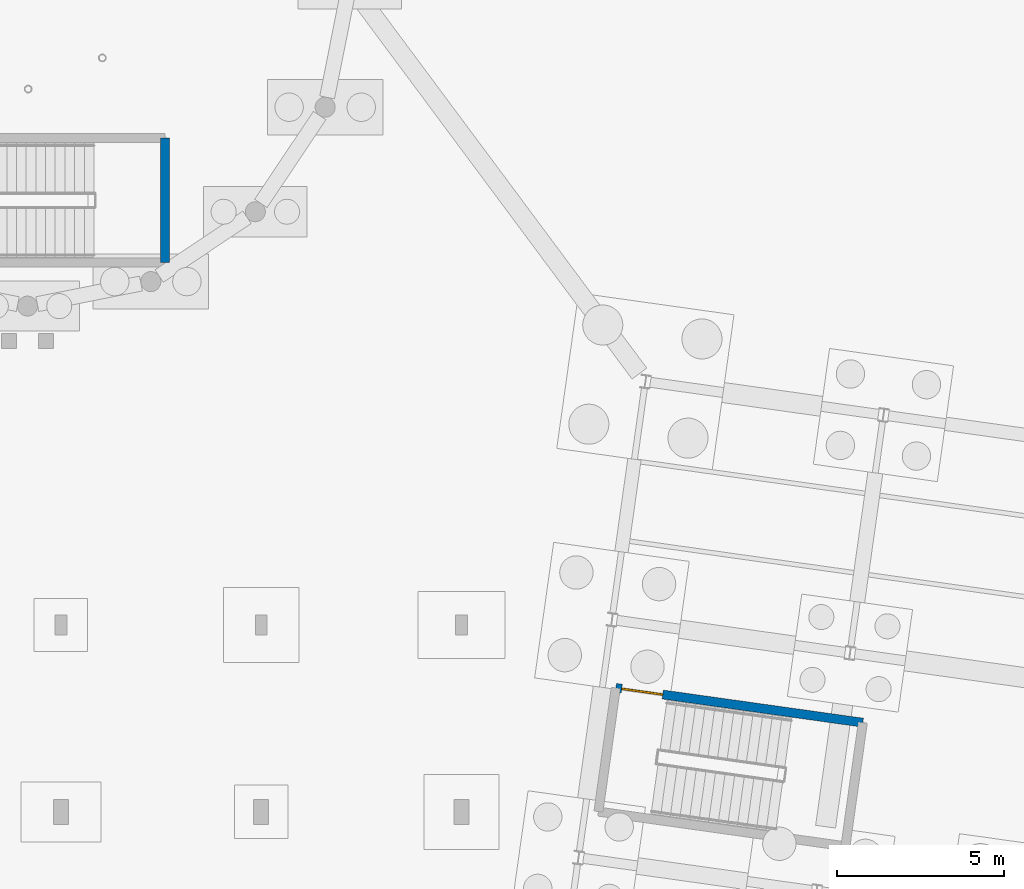
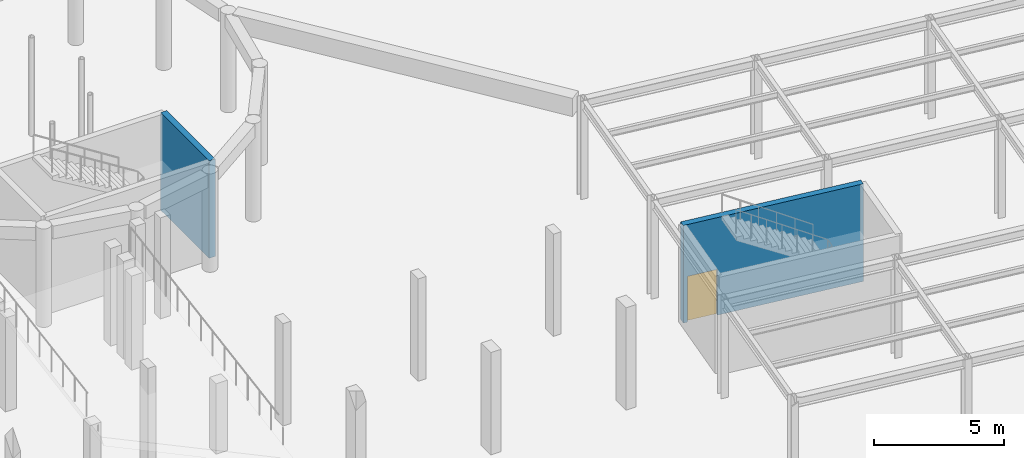
# One storey, part 25 of 34: 2 walls, 1 door, 1 opening.
"""IFC4 building model written with IfcOpenShell, lengths in metres."""

from ifc_helpers import new_model, si_unit, direction, frame, frame_2d, origin, place, context, subcontext, project, spatial, rectangle, extrude, material, layer, layer_set, type_object, element, fill, save


model = new_model("IFC4")

# Units and contexts
model_context = context("Model", 3, precision=1e-05, world=origin(), true_north=direction((0.0, 1.0)))
body_context = subcontext(model_context, "Body", "Model", "MODEL_VIEW")
ifc_project = project(units=[si_unit("LENGTHUNIT", "METRE"), si_unit("AREAUNIT", "SQUARE_METRE"), si_unit("VOLUMEUNIT", "CUBIC_METRE"), si_unit("PLANEANGLEUNIT", "RADIAN"), si_unit("MASSUNIT", "GRAM", prefix="KILO")], contexts=[model_context])

# Site, building, storey
site_placement = place(None, origin())
site = spatial("IfcSite", under=ifc_project, at=site_placement, CompositionType="ELEMENT")
building_placement = place(site_placement, origin())
building = spatial("IfcBuilding", under=site, at=building_placement, Name="Kharisveld Research Institute", CompositionType="ELEMENT")
storey_placement = place(building_placement, frame((0.0, 0.0, -4.800048828125)))
storey = spatial("IfcBuildingStorey", under=building, at=storey_placement, Name="B1", CompositionType="ELEMENT", Elevation=-4.800048828125)

# Wall, opening, door
ifc_material_1 = material(Name="Concrete C40/50", Category="concrete")
ifc_layer = layer(ifc_material_1, 0.27001953125)
ifc_layer_set = layer_set([ifc_layer], Name="WL_CORE_270")
wall_type = type_object("IfcWallType", Name="WL_CORE_270", PredefinedType="SHEAR", material=ifc_layer_set)
wall_1_placement = place(storey_placement, frame((77.120361328125, 29.7138671875, 0.0), z_axis=(0.0, 0.0, 1.0), x_axis=(0.990265308789, -0.139192737628, 0.0)))
wall_1 = element("IfcWall", 1, at=wall_1_placement, inside=storey, type_object=wall_type, Name="WL:STR:ST5:B1:N", PredefinedType="SHEAR", context=body_context, shape_type="SweptSolid", body=[
    extrude(rectangle(XDim=7.47021484375, YDim=0.27001953125, at=frame_2d((3.735107421875, 0.0))), origin(), (0.0, 0.0, 1.0), 4.580078125),
])
opening_placement = place(wall_1_placement, frame((0.179931640625, 0.0, 0.0)))
opening = element("IfcOpeningElement", 2, at=opening_placement, cuts=wall_1, Name="Opening DS-042", PredefinedType="OPENING", context=body_context, shape_type="SweptSolid", body=[
    extrude(rectangle(XDim=1.239990234375, YDim=2.14990234375, at=frame_2d((0.6201171875, 1.074951171875))), frame((0.0, 0.135009765625, 0.0), z_axis=(0.0, -1.0, 0.0), x_axis=(1.0, 0.0, 0.0)), (0.0, 0.0, 1.0), 0.27001953125),
])
ifc_material_2 = material(Name="Flush Painted Hardwood and Anodised Aluminium", Category="wood")
door_type = type_object("IfcDoorType", Name="DR_FD60_124", OperationType="NOTDEFINED", PredefinedType="DOOR", material=ifc_material_2)
door_placement = place(opening_placement, origin())
door = element("IfcDoor", 3, at=door_placement, inside=storey, type_object=door_type, Name="DR:STR:ST5:B1", OperationType="SINGLE_SWING_LEFT", OverallHeight=2.14990234375, OverallWidth=1.239990234375, PredefinedType="DOOR", context=body_context, shape_type="SweptSolid", body=[
    extrude(rectangle(XDim=1.239990234375, YDim=2.14990234375, at=frame_2d((0.6201171875, 1.074951171875))), frame((0.0, 0.02490234375, 0.0), z_axis=(0.0, -1.0, 0.0), x_axis=(1.0, 0.0, 0.0)), (0.0, 0.0, 1.0), 0.050048828125),
])
fill(opening, door)

# Wall
wall_2_placement = place(storey_placement, frame((63.6201171875, 46.18994140625, 0.0), z_axis=(0.0, 0.0, 1.0), x_axis=(0.0, -1.0, 0.0)))
element("IfcWall", 4, at=wall_2_placement, inside=storey, type_object=wall_type, Name="WL:STR:ST7:B1:E", PredefinedType="SHEAR", context=body_context, shape_type="SweptSolid", body=[
    extrude(rectangle(XDim=3.739990234375, YDim=0.27001953125, at=frame_2d((1.8701171875, 0.0))), origin(), (0.0, 0.0, 1.0), 4.580078125),
])

save(model, "model.ifc")
